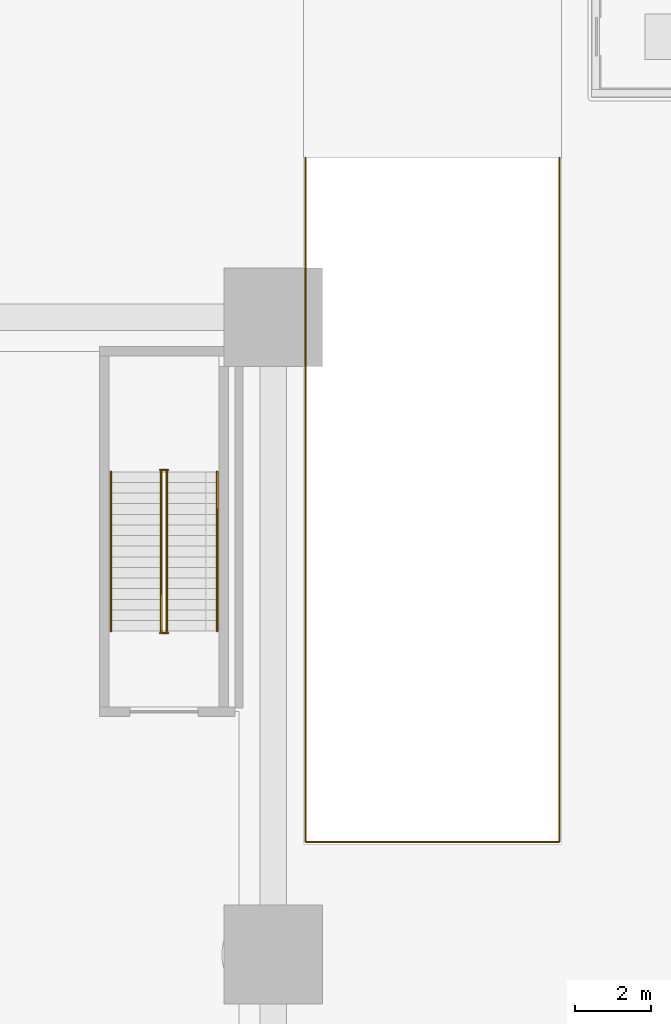
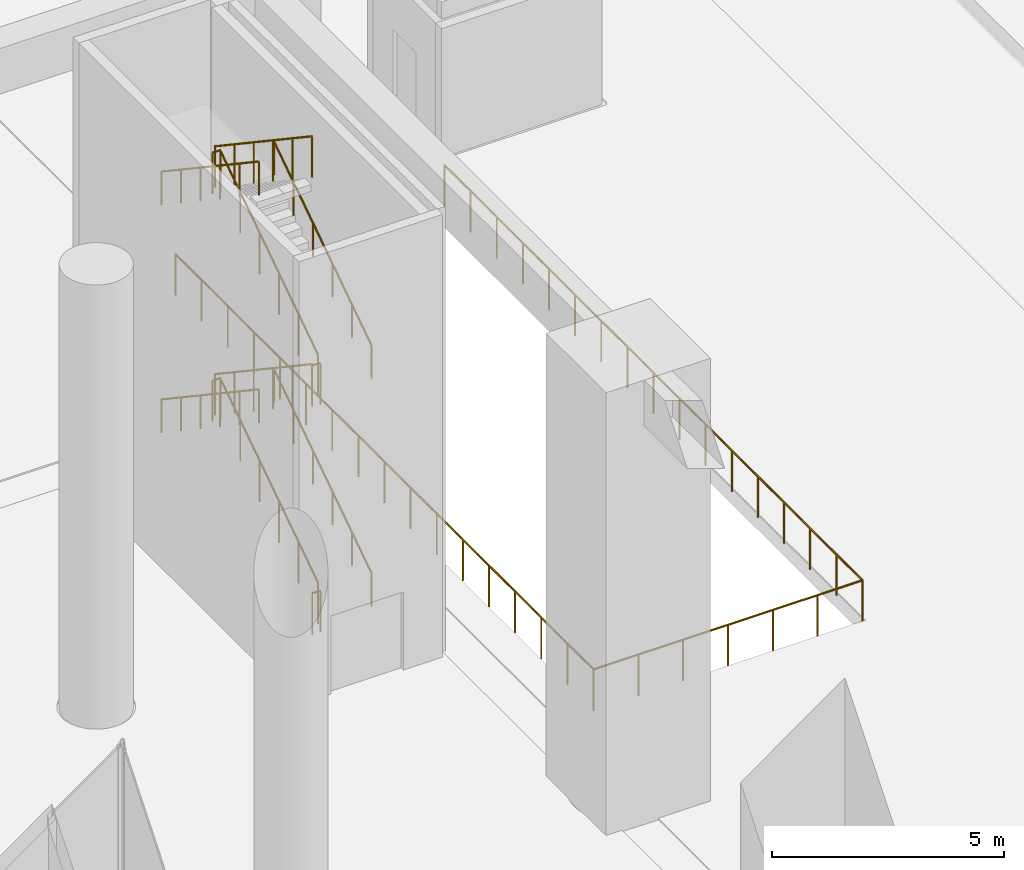
# One storey, part 46 of 52: 13 railings.
"""IFC4 building model written with IfcOpenShell, lengths in metres."""

import ifcopenshell
import ifcopenshell.guid

model = None  # the IFC model being written
_history = None  # IfcOwnerHistory: only IFC2X3 demands one
_inside = {}  # id of a spatial element -> (the spatial element, [elements in it])
_under = {}  # id of a project, library or spatial element -> (it, [spatial elements below it])
_declared = {}  # id of a project -> (the project, [libraries it declares])
_typed = {}  # id of a type object -> (the type object, [elements of that type])
_made_of = {}  # id of a material, layer set ... -> (it, [elements and type objects made of it])


def new_model(schema):
    """Start an empty IFC model of exactly this schema.

    Asked for "IFC4X3", IfcOpenShell would pick the latest addendum, in which some entities
    have other attributes; the version numbers below select the first issue.
    IFC2X3 requires an IfcOwnerHistory on every rooted entity: one is made here for all.
    """
    global model, _history
    if schema == "IFC4X3":
        model = ifcopenshell.file(schema_version=(4, 3, 0, 0))
    else:
        model = ifcopenshell.file(schema=schema)
    _inside.clear()
    _under.clear()
    _declared.clear()
    _typed.clear()
    _made_of.clear()
    _history = None
    if model.schema == "IFC2X3":
        org = make("IfcOrganization", Name="unknown")
        user = make(
            "IfcPersonAndOrganization",
            ThePerson=make("IfcPerson", FamilyName="unknown"),
            TheOrganization=org,
        )
        app = make(
            "IfcApplication",
            ApplicationDeveloper=org,
            Version="unknown",
            ApplicationFullName="unknown",
            ApplicationIdentifier="unknown",
        )
        _history = make(
            "IfcOwnerHistory",
            OwningUser=user,
            OwningApplication=app,
            ChangeAction="ADDED",
            CreationDate=0,
        )
    return model


def make(cls, **values):
    """One entity of the class cls with the attributes given. An attribute that is None is left unset."""
    return model.create_entity(
        cls, **{name: value for name, value in values.items() if value is not None}
    )


def rooted(cls, **values):
    """An entity with a GlobalId (a new one), such as an element, a storey or a relation."""
    return make(cls, GlobalId=ifcopenshell.guid.new(), OwnerHistory=_history, **values)


def si_unit(unit_type, name, prefix=None):
    """IfcSIUnit, for example si_unit("LENGTHUNIT", "METRE", prefix="MILLI")."""
    return make("IfcSIUnit", UnitType=unit_type, Prefix=prefix, Name=name)


def assignment(units):
    """IfcUnitAssignment: the units of a project."""
    return None if units is None else make("IfcUnitAssignment", Units=units)


def point(xyz):
    """IfcCartesianPoint."""
    return None if xyz is None else make("IfcCartesianPoint", Coordinates=xyz)


def direction(xyz):
    """IfcDirection."""
    return None if xyz is None else make("IfcDirection", DirectionRatios=xyz)


def frame(location, z_axis=None, x_axis=None):
    """IfcAxis2Placement3D, a coordinate frame: its origin and axes. An axis left out is left unset."""
    return make(
        "IfcAxis2Placement3D",
        Location=point(location),
        Axis=direction(z_axis),
        RefDirection=direction(x_axis),
    )


def frame_2d(location, x_axis=None):
    """IfcAxis2Placement2D, a coordinate frame in the plane: its origin and x axis."""
    return make(
        "IfcAxis2Placement2D", Location=point(location), RefDirection=direction(x_axis)
    )


def origin():
    """The frame at (0, 0, 0) with its axes left unset."""
    return frame((0.0, 0.0, 0.0))


def origin_2d():
    """The frame at (0, 0) in the plane with its x axis left unset."""
    return frame_2d((0.0, 0.0))


def place(relative_to, where):
    """IfcLocalPlacement: puts the frame where relative to a parent placement (None: the world)."""
    return make(
        "IfcLocalPlacement", PlacementRelTo=relative_to, RelativePlacement=where
    )


def context(
    kind, dimensions, precision=None, world=None, true_north=None, identifier=None
):
    """IfcGeometricRepresentationContext, for example the 3D "Model" context."""
    return make(
        "IfcGeometricRepresentationContext",
        ContextIdentifier=identifier,
        ContextType=kind,
        CoordinateSpaceDimension=dimensions,
        Precision=precision,
        WorldCoordinateSystem=world,
        TrueNorth=true_north,
    )


def subcontext(parent, identifier, kind, view, scale=None):
    """IfcGeometricRepresentationSubContext, for example "Body" below "Model"."""
    return make(
        "IfcGeometricRepresentationSubContext",
        ContextIdentifier=identifier,
        ContextType=kind,
        ParentContext=parent,
        TargetScale=scale,
        TargetView=view,
    )


def project(units=None, contexts=None):
    """IfcProject with its units and contexts."""
    return rooted(
        "IfcProject",
        Name="project",
        RepresentationContexts=contexts,
        UnitsInContext=assignment(units),
    )


def spatial(cls, under=None, at=None, **own):
    """A site, building, storey or space (cls), placed at a placement, below another one or the project."""
    s = rooted(cls, ObjectPlacement=at, **own)
    if under is not None:
        _under.setdefault(under.id(), (under, []))[1].append(s)
    return s


def profile(cls, at=None, kind="AREA", **sizes):
    """A parametric profile (cls). Its sizes go by their IFC names, for example OverallWidth=200.0."""
    return make(cls, ProfileType=kind, Position=at, **sizes)


def circle(**sizes):
    """IfcCircleProfileDef."""
    return profile("IfcCircleProfileDef", **sizes)


def extrude(swept, where, along, depth):
    """IfcExtrudedAreaSolid: the profile swept, set in the frame where, extruded along a direction by depth."""
    return make(
        "IfcExtrudedAreaSolid",
        SweptArea=swept,
        Position=where,
        ExtrudedDirection=direction(along),
        Depth=depth,
    )


def shape(context_of_items, identifier, shape_type, items):
    """IfcShapeRepresentation: the items that make up one representation, for example the "Body"."""
    return make(
        "IfcShapeRepresentation",
        ContextOfItems=context_of_items,
        RepresentationIdentifier=identifier,
        RepresentationType=shape_type,
        Items=items,
    )


def material(Name=None, Category=None):
    """IfcMaterial."""
    return make("IfcMaterial", Name=Name, Category=Category)


def made_of(thing, what):
    """Note that an element or type object is made of a material, layer set ...; save() writes the relation."""
    if what is not None:
        _made_of.setdefault(what.id(), (what, []))[1].append(thing)
    return thing


def type_object(cls, material=None, **own):
    """A type object (cls), such as IfcWallType, which elements share."""
    return made_of(rooted(cls, **own), material)


def element(
    cls,
    number,
    at=None,
    inside=None,
    cuts=None,
    type_object=None,
    material=None,
    context=None,
    identifier="Body",
    shape_type=None,
    held_by="IfcProductDefinitionShape",
    body=None,
    shapes=None,
    **own,
):
    """One element of the class cls, such as IfcWall. Its Tag is "e" and its number.

    at: its placement. inside: the storey or other place that contains it. cuts: it is an
    opening in that element (IfcRelVoidsElement). A single representation is given by context,
    identifier, shape_type and body (its items); several are given by shapes. held_by: the class
    of the entity that holds the representations. save() writes the other relations.
    """
    e = rooted(cls, Tag="e%d" % number, ObjectPlacement=at, **own)
    if body is not None:
        shapes = [shape(context, identifier, shape_type, body)]
    if shapes is not None:
        e.Representation = make(held_by, Representations=shapes)
    if inside is not None:
        _inside.setdefault(inside.id(), (inside, []))[1].append(e)
    if cuts is not None:
        rooted(
            "IfcRelVoidsElement", RelatingBuildingElement=cuts, RelatedOpeningElement=e
        )
    if type_object is not None:
        _typed.setdefault(type_object.id(), (type_object, []))[1].append(e)
    return made_of(e, material)


def aggregate(whole, parts):
    """IfcRelAggregates: a whole, such as a stair, and the parts it consists of."""
    return rooted("IfcRelAggregates", RelatingObject=whole, RelatedObjects=parts)


def save(model, path):
    """Write the relations noted so far, then the file.

    IfcRelAggregates (storeys below a building ...), IfcRelContainedInSpatialStructure (elements
    in a storey), IfcRelDefinesByType, IfcRelAssociatesMaterial and IfcRelDeclares: one each for
    every whole, place, type object, material and project.
    """
    for whole, parts in _under.values():
        aggregate(whole, parts)
    for where, things in _inside.values():
        rooted(
            "IfcRelContainedInSpatialStructure",
            RelatedElements=things,
            RelatingStructure=where,
        )
    for kind, things in _typed.values():
        rooted("IfcRelDefinesByType", RelatedObjects=things, RelatingType=kind)
    for what, things in _made_of.values():
        rooted("IfcRelAssociatesMaterial", RelatedObjects=things, RelatingMaterial=what)
    for by, libraries in _declared.values():
        rooted("IfcRelDeclares", RelatingContext=by, RelatedDefinitions=libraries)
    model.write(path)


model = new_model("IFC4")

# Units and contexts
model_context = context("Model", 3, precision=1e-05, world=origin(), true_north=direction((0.0, 1.0)))
body_context = subcontext(model_context, "Body", "Model", "MODEL_VIEW")
ifc_project = project(units=[si_unit("LENGTHUNIT", "METRE"), si_unit("AREAUNIT", "SQUARE_METRE"), si_unit("VOLUMEUNIT", "CUBIC_METRE"), si_unit("PLANEANGLEUNIT", "RADIAN"), si_unit("MASSUNIT", "GRAM", prefix="KILO")], contexts=[model_context])

# Site, building, storey
site_placement = place(None, origin())
site = spatial("IfcSite", under=ifc_project, at=site_placement, CompositionType="ELEMENT")
building_placement = place(site_placement, origin())
building = spatial("IfcBuilding", under=site, at=building_placement, Name="Cantera Rosa Tower", CompositionType="ELEMENT")
storey_placement = place(building_placement, origin())
storey = spatial("IfcBuildingStorey", under=building, at=storey_placement, Name="L00", CompositionType="ELEMENT", Elevation=0.0)

# Railings
ifc_material_1 = material(Name="Steel S355J2 (EN 10025-2)", Category="steel")
railing_type_1 = type_object("IfcRailingType", Name="Edge guard 1100", PredefinedType="GUARDRAIL", material=ifc_material_1)
railing_1_placement = place(storey_placement, frame((34.449951171875, 33.60009765625, 0.0)))
element("IfcRailing", 1, at=railing_1_placement, inside=storey, type_object=railing_type_1, Name="Guard round ramp opening L00", PredefinedType="GUARDRAIL", context=body_context, shape_type="SweptSolid", body=[
    extrude(circle(Radius=0.02392578125, at=origin_2d()), frame((0.0, 0.0, 1.076171875), z_axis=(0.0, -1.0, 0.0), x_axis=(1.0, 0.0, 0.0)), (0.0, 0.0, 1.0), 18.033447265625),
    extrude(circle(Radius=0.02392578125, at=origin_2d()), frame((0.0, -18.033447265625, 1.076171875), z_axis=(1.0, 0.0, 0.0), x_axis=(0.0, 1.0, 0.0)), (0.0, 0.0, 1.0), 6.699951171875),
    extrude(circle(Radius=0.02392578125, at=origin_2d()), frame((6.699951171875, -18.033447265625, 1.076171875), z_axis=(0.0, 1.0, 0.0), x_axis=(-1.0, 0.0, 0.0)), (0.0, 0.0, 1.0), 18.033447265625),
    extrude(circle(Radius=0.02099609375, at=origin_2d()), origin(), (0.0, 0.0, 1.0), 1.052001953125),
    extrude(circle(Radius=0.02099609375, at=origin_2d()), frame((0.0, -1.127197265625, 0.0)), (0.0, 0.0, 1.0), 1.052001953125),
    extrude(circle(Radius=0.02099609375, at=origin_2d()), frame((0.0, -2.254150390625, 0.0)), (0.0, 0.0, 1.0), 1.052001953125),
    extrude(circle(Radius=0.02099609375, at=origin_2d()), frame((0.0, -3.38134765625, 0.0)), (0.0, 0.0, 1.0), 1.052001953125),
    extrude(circle(Radius=0.02099609375, at=origin_2d()), frame((0.0, -4.50830078125, 0.0)), (0.0, 0.0, 1.0), 1.052001953125),
    extrude(circle(Radius=0.02099609375, at=origin_2d()), frame((0.0, -5.635498046875, 0.0)), (0.0, 0.0, 1.0), 1.052001953125),
    extrude(circle(Radius=0.02099609375, at=origin_2d()), frame((0.0, -6.762451171875, 0.0)), (0.0, 0.0, 1.0), 1.052001953125),
    extrude(circle(Radius=0.02099609375, at=origin_2d()), frame((0.0, -7.8896484375, 0.0)), (0.0, 0.0, 1.0), 1.052001953125),
    extrude(circle(Radius=0.02099609375, at=origin_2d()), frame((0.0, -9.0166015625, 0.0)), (0.0, 0.0, 1.0), 1.052001953125),
    extrude(circle(Radius=0.02099609375, at=origin_2d()), frame((0.0, -10.143798828125, 0.0)), (0.0, 0.0, 1.0), 1.052001953125),
    extrude(circle(Radius=0.02099609375, at=origin_2d()), frame((0.0, -11.27099609375, 0.0)), (0.0, 0.0, 1.0), 1.052001953125),
    extrude(circle(Radius=0.02099609375, at=origin_2d()), frame((0.0, -12.39794921875, 0.0)), (0.0, 0.0, 1.0), 1.052001953125),
    extrude(circle(Radius=0.02099609375, at=origin_2d()), frame((0.0, -13.525146484375, 0.0)), (0.0, 0.0, 1.0), 1.052001953125),
    extrude(circle(Radius=0.02099609375, at=origin_2d()), frame((0.0, -14.652099609375, 0.0)), (0.0, 0.0, 1.0), 1.052001953125),
    extrude(circle(Radius=0.02099609375, at=origin_2d()), frame((0.0, -15.779296875, 0.0)), (0.0, 0.0, 1.0), 1.052001953125),
    extrude(circle(Radius=0.02099609375, at=origin_2d()), frame((0.0, -16.90625, 0.0)), (0.0, 0.0, 1.0), 1.052001953125),
    extrude(circle(Radius=0.02099609375, at=origin_2d()), frame((0.0, -18.033447265625, 0.0)), (0.0, 0.0, 1.0), 1.052001953125),
    extrude(circle(Radius=0.02099609375, at=origin_2d()), frame((1.11669921875, -18.033447265625, 0.0)), (0.0, 0.0, 1.0), 1.052001953125),
    extrude(circle(Radius=0.02099609375, at=origin_2d()), frame((2.2333984375, -18.033447265625, 0.0)), (0.0, 0.0, 1.0), 1.052001953125),
    extrude(circle(Radius=0.02099609375, at=origin_2d()), frame((3.35009765625, -18.033447265625, 0.0)), (0.0, 0.0, 1.0), 1.052001953125),
    extrude(circle(Radius=0.02099609375, at=origin_2d()), frame((4.466552734375, -18.033447265625, 0.0)), (0.0, 0.0, 1.0), 1.052001953125),
    extrude(circle(Radius=0.02099609375, at=origin_2d()), frame((5.583251953125, -18.033447265625, 0.0)), (0.0, 0.0, 1.0), 1.052001953125),
    extrude(circle(Radius=0.02099609375, at=origin_2d()), frame((6.699951171875, -18.033447265625, 0.0)), (0.0, 0.0, 1.0), 1.052001953125),
    extrude(circle(Radius=0.02099609375, at=origin_2d()), frame((6.699951171875, -16.90625, 0.0)), (0.0, 0.0, 1.0), 1.052001953125),
    extrude(circle(Radius=0.02099609375, at=origin_2d()), frame((6.699951171875, -15.779296875, 0.0)), (0.0, 0.0, 1.0), 1.052001953125),
    extrude(circle(Radius=0.02099609375, at=origin_2d()), frame((6.699951171875, -14.652099609375, 0.0)), (0.0, 0.0, 1.0), 1.052001953125),
    extrude(circle(Radius=0.02099609375, at=origin_2d()), frame((6.699951171875, -13.525146484375, 0.0)), (0.0, 0.0, 1.0), 1.052001953125),
    extrude(circle(Radius=0.02099609375, at=origin_2d()), frame((6.699951171875, -12.39794921875, 0.0)), (0.0, 0.0, 1.0), 1.052001953125),
    extrude(circle(Radius=0.02099609375, at=origin_2d()), frame((6.699951171875, -11.27099609375, 0.0)), (0.0, 0.0, 1.0), 1.052001953125),
    extrude(circle(Radius=0.02099609375, at=origin_2d()), frame((6.699951171875, -10.143798828125, 0.0)), (0.0, 0.0, 1.0), 1.052001953125),
    extrude(circle(Radius=0.02099609375, at=origin_2d()), frame((6.699951171875, -9.0166015625, 0.0)), (0.0, 0.0, 1.0), 1.052001953125),
    extrude(circle(Radius=0.02099609375, at=origin_2d()), frame((6.699951171875, -7.8896484375, 0.0)), (0.0, 0.0, 1.0), 1.052001953125),
    extrude(circle(Radius=0.02099609375, at=origin_2d()), frame((6.699951171875, -6.762451171875, 0.0)), (0.0, 0.0, 1.0), 1.052001953125),
    extrude(circle(Radius=0.02099609375, at=origin_2d()), frame((6.699951171875, -5.635498046875, 0.0)), (0.0, 0.0, 1.0), 1.052001953125),
    extrude(circle(Radius=0.02099609375, at=origin_2d()), frame((6.699951171875, -4.50830078125, 0.0)), (0.0, 0.0, 1.0), 1.052001953125),
    extrude(circle(Radius=0.02099609375, at=origin_2d()), frame((6.699951171875, -3.38134765625, 0.0)), (0.0, 0.0, 1.0), 1.052001953125),
    extrude(circle(Radius=0.02099609375, at=origin_2d()), frame((6.699951171875, -2.254150390625, 0.0)), (0.0, 0.0, 1.0), 1.052001953125),
    extrude(circle(Radius=0.02099609375, at=origin_2d()), frame((6.699951171875, -1.127197265625, 0.0)), (0.0, 0.0, 1.0), 1.052001953125),
    extrude(circle(Radius=0.02099609375, at=origin_2d()), frame((6.699951171875, 0.0, 0.0)), (0.0, 0.0, 1.0), 1.052001953125),
])
ifc_material_2 = material(Name="Steel S355J2 (EN 10025-2)", Category="steel")
railing_type_2 = type_object("IfcRailingType", Name="STAIR GUARD 1100", PredefinedType="GUARDRAIL", material=ifc_material_2)
railing_2_placement = place(storey_placement, frame((30.799072265625, 21.125, 0.1875)))
element("IfcRailing", 2, at=railing_2_placement, inside=storey, type_object=railing_type_2, Name="L00 ST-NE stair guard 1", PredefinedType="GUARDRAIL", context=body_context, shape_type="SweptSolid", body=[
    extrude(circle(Radius=0.02392578125, at=origin_2d()), frame((0.0, 0.0, 1.076171875), z_axis=(0.0, 0.830904186295, 0.556415522067), x_axis=(-1.0, 0.0, 0.0)), (0.0, 0.0, 1.0), 5.0546875),
    extrude(circle(Radius=0.02099609375, at=origin_2d()), origin(), (0.0, 0.0, 1.0), 1.052001953125),
    extrude(circle(Radius=0.02099609375, at=origin_2d()), frame((0.0, 0.840087890625, 0.5625)), (0.0, 0.0, 1.0), 1.052001953125),
    extrude(circle(Radius=0.02099609375, at=origin_2d()), frame((0.0, 1.679931640625, 1.125)), (0.0, 0.0, 1.0), 1.052001953125),
    extrude(circle(Radius=0.02099609375, at=origin_2d()), frame((0.0, 2.52001953125, 1.6875)), (0.0, 0.0, 1.0), 1.052001953125),
    extrude(circle(Radius=0.02099609375, at=origin_2d()), frame((0.0, 3.35986328125, 2.25)), (0.0, 0.0, 1.0), 1.052001953125),
    extrude(circle(Radius=0.02099609375, at=origin_2d()), frame((0.0, 4.199951171875, 2.8125)), (0.0, 0.0, 1.0), 1.052001953125),
])
railing_3_placement = place(storey_placement, frame((30.824951171875, 25.375, 3.0)))
element("IfcRailing", 3, at=railing_3_placement, inside=storey, type_object=railing_type_2, Name="L00 ST-NE stair guard 2", PredefinedType="GUARDRAIL", context=body_context, shape_type="SweptSolid", body=[
    extrude(circle(Radius=0.02392578125, at=origin_2d()), frame((0.0, 0.0, 1.076171875), z_axis=(-1.0, 0.0, 0.0), x_axis=(0.0, -1.0, 0.0)), (0.0, 0.0, 1.0), 0.199951171875),
    extrude(circle(Radius=0.02099609375, at=origin_2d()), origin(), (0.0, 0.0, 1.0), 1.052001953125),
    extrude(circle(Radius=0.02099609375, at=origin_2d()), frame((-0.199951171875, 0.0, 0.0)), (0.0, 0.0, 1.0), 1.052001953125),
])
railing_4_placement = place(storey_placement, frame((30.65087890625, 25.324951171875, 3.1875)))
element("IfcRailing", 4, at=railing_4_placement, inside=storey, type_object=railing_type_2, Name="L00 ST-NE stair guard 3", PredefinedType="GUARDRAIL", context=body_context, shape_type="SweptSolid", body=[
    extrude(circle(Radius=0.02392578125, at=origin_2d()), frame((0.0, 0.0, 1.076171875), z_axis=(0.0, -0.830904186295, 0.556415522067), x_axis=(1.0, 0.0, 0.0)), (0.0, 0.0, 1.0), 5.0546875),
    extrude(circle(Radius=0.02099609375, at=origin_2d()), origin(), (0.0, 0.0, 1.0), 1.052001953125),
    extrude(circle(Radius=0.02099609375, at=origin_2d()), frame((0.0, -0.840087890625, 0.5625)), (0.0, 0.0, 1.0), 1.052001953125),
    extrude(circle(Radius=0.02099609375, at=origin_2d()), frame((0.0, -1.679931640625, 1.125)), (0.0, 0.0, 1.0), 1.052001953125),
    extrude(circle(Radius=0.02099609375, at=origin_2d()), frame((0.0, -2.52001953125, 1.6875)), (0.0, 0.0, 1.0), 1.052001953125),
    extrude(circle(Radius=0.02099609375, at=origin_2d()), frame((0.0, -3.35986328125, 2.25)), (0.0, 0.0, 1.0), 1.052001953125),
    extrude(circle(Radius=0.02099609375, at=origin_2d()), frame((0.0, -4.199951171875, 2.8125)), (0.0, 0.0, 1.0), 1.052001953125),
])
railing_5_placement = place(storey_placement, frame((30.824951171875, 21.074951171875, 6.0)))
element("IfcRailing", 5, at=railing_5_placement, inside=storey, type_object=railing_type_2, Name="L00 ST-NE stair guard 4", PredefinedType="GUARDRAIL", context=body_context, shape_type="SweptSolid", body=[
    extrude(circle(Radius=0.02392578125, at=origin_2d()), frame((0.0, 0.0, 1.076171875), z_axis=(-1.0, 0.0, 0.0), x_axis=(0.0, -1.0, 0.0)), (0.0, 0.0, 1.0), 0.199951171875),
    extrude(circle(Radius=0.02099609375, at=origin_2d()), origin(), (0.0, 0.0, 1.0), 1.052001953125),
    extrude(circle(Radius=0.02099609375, at=origin_2d()), frame((-0.199951171875, 0.0, 0.0)), (0.0, 0.0, 1.0), 1.052001953125),
])
railing_6_placement = place(storey_placement, frame((30.799072265625, 21.125, 6.1875)))
element("IfcRailing", 6, at=railing_6_placement, inside=storey, type_object=railing_type_2, Name="L00 ST-NE stair guard 5", PredefinedType="GUARDRAIL", context=body_context, shape_type="SweptSolid", body=[
    extrude(circle(Radius=0.02392578125, at=origin_2d()), frame((0.0, 0.0, 1.076171875), z_axis=(0.0, 0.830904186295, 0.556415522067), x_axis=(-1.0, 0.0, 0.0)), (0.0, 0.0, 1.0), 5.0546875),
    extrude(circle(Radius=0.02099609375, at=origin_2d()), origin(), (0.0, 0.0, 1.0), 1.052001953125),
    extrude(circle(Radius=0.02099609375, at=origin_2d()), frame((0.0, 0.840087890625, 0.5625)), (0.0, 0.0, 1.0), 1.052001953125),
    extrude(circle(Radius=0.02099609375, at=origin_2d()), frame((0.0, 1.679931640625, 1.125)), (0.0, 0.0, 1.0), 1.052001953125),
    extrude(circle(Radius=0.02099609375, at=origin_2d()), frame((0.0, 2.52001953125, 1.6875)), (0.0, 0.0, 1.0), 1.052001953125),
    extrude(circle(Radius=0.02099609375, at=origin_2d()), frame((0.0, 3.35986328125, 2.25)), (0.0, 0.0, 1.0), 1.052001953125),
    extrude(circle(Radius=0.02099609375, at=origin_2d()), frame((0.0, 4.199951171875, 2.8125)), (0.0, 0.0, 1.0), 1.052001953125),
])
railing_7_placement = place(storey_placement, frame((30.824951171875, 25.375, 9.0)))
element("IfcRailing", 7, at=railing_7_placement, inside=storey, type_object=railing_type_2, Name="L00 ST-NE stair guard 6", PredefinedType="GUARDRAIL", context=body_context, shape_type="SweptSolid", body=[
    extrude(circle(Radius=0.02392578125, at=origin_2d()), frame((0.0, 0.0, 1.076171875), z_axis=(-1.0, 0.0, 0.0), x_axis=(0.0, -1.0, 0.0)), (0.0, 0.0, 1.0), 0.199951171875),
    extrude(circle(Radius=0.02099609375, at=origin_2d()), origin(), (0.0, 0.0, 1.0), 1.052001953125),
    extrude(circle(Radius=0.02099609375, at=origin_2d()), frame((-0.199951171875, 0.0, 0.0)), (0.0, 0.0, 1.0), 1.052001953125),
])
railing_8_placement = place(storey_placement, frame((30.65087890625, 25.324951171875, 9.1875)))
element("IfcRailing", 8, at=railing_8_placement, inside=storey, type_object=railing_type_2, Name="L00 ST-NE stair guard 7", PredefinedType="GUARDRAIL", context=body_context, shape_type="SweptSolid", body=[
    extrude(circle(Radius=0.02392578125, at=origin_2d()), frame((0.0, 0.0, 1.076171875), z_axis=(0.0, -0.830904186295, 0.556415522067), x_axis=(1.0, 0.0, 0.0)), (0.0, 0.0, 1.0), 5.0546875),
    extrude(circle(Radius=0.02099609375, at=origin_2d()), origin(), (0.0, 0.0, 1.0), 1.052001953125),
    extrude(circle(Radius=0.02099609375, at=origin_2d()), frame((0.0, -0.840087890625, 0.5625)), (0.0, 0.0, 1.0), 1.052001953125),
    extrude(circle(Radius=0.02099609375, at=origin_2d()), frame((0.0, -1.679931640625, 1.125)), (0.0, 0.0, 1.0), 1.052001953125),
    extrude(circle(Radius=0.02099609375, at=origin_2d()), frame((0.0, -2.52001953125, 1.6875)), (0.0, 0.0, 1.0), 1.052001953125),
    extrude(circle(Radius=0.02099609375, at=origin_2d()), frame((0.0, -3.35986328125, 2.25)), (0.0, 0.0, 1.0), 1.052001953125),
    extrude(circle(Radius=0.02099609375, at=origin_2d()), frame((0.0, -4.199951171875, 2.8125)), (0.0, 0.0, 1.0), 1.052001953125),
])
railing_9_placement = place(storey_placement, frame((30.824951171875, 21.074951171875, 0.0)))
element("IfcRailing", 9, at=railing_9_placement, inside=storey, type_object=railing_type_2, Name="L00 ST-NE stair guard 8", PredefinedType="GUARDRAIL", context=body_context, shape_type="SweptSolid", body=[
    extrude(circle(Radius=0.02392578125, at=origin_2d()), frame((0.0, 0.0, 1.076171875), z_axis=(-1.0, 0.0, 0.0), x_axis=(0.0, -1.0, 0.0)), (0.0, 0.0, 1.0), 0.199951171875),
    extrude(circle(Radius=0.02099609375, at=origin_2d()), origin(), (0.0, 0.0, 1.0), 1.052001953125),
    extrude(circle(Radius=0.02099609375, at=origin_2d()), frame((-0.199951171875, 0.0, 0.0)), (0.0, 0.0, 1.0), 1.052001953125),
])
ifc_material_3 = material(Name="Steel S355J2 (EN 10025-2)", Category="steel")
railing_type_3 = type_object("IfcRailingType", Name="STAIR HANDRAIL 900", PredefinedType="HANDRAIL", material=ifc_material_3)
railing_10_placement = place(storey_placement, frame((32.125, 21.125, 0.1875)))
element("IfcRailing", 10, at=railing_10_placement, inside=storey, type_object=railing_type_3, Name="L00 ST-NE stair handrail 1", PredefinedType="HANDRAIL", context=body_context, shape_type="SweptSolid", body=[
    extrude(circle(Radius=0.02392578125, at=origin_2d()), frame((0.0, 0.0, 0.8759765625), z_axis=(0.0, 0.830904186295, 0.556415522067), x_axis=(-1.0, 0.0, 0.0)), (0.0, 0.0, 1.0), 5.0546875),
    extrude(circle(Radius=0.02099609375, at=origin_2d()), origin(), (0.0, 0.0, 1.0), 0.851806640625),
    extrude(circle(Radius=0.02099609375, at=origin_2d()), frame((0.0, 0.840087890625, 0.5625)), (0.0, 0.0, 1.0), 0.851806640625),
    extrude(circle(Radius=0.02099609375, at=origin_2d()), frame((0.0, 1.679931640625, 1.125)), (0.0, 0.0, 1.0), 0.851806640625),
    extrude(circle(Radius=0.02099609375, at=origin_2d()), frame((0.0, 2.52001953125, 1.6875)), (0.0, 0.0, 1.0), 0.851806640625),
    extrude(circle(Radius=0.02099609375, at=origin_2d()), frame((0.0, 3.35986328125, 2.25)), (0.0, 0.0, 1.0), 0.851806640625),
    extrude(circle(Radius=0.02099609375, at=origin_2d()), frame((0.0, 4.199951171875, 2.8125)), (0.0, 0.0, 1.0), 0.851806640625),
])
railing_11_placement = place(storey_placement, frame((29.324951171875, 25.324951171875, 3.1875)))
element("IfcRailing", 11, at=railing_11_placement, inside=storey, type_object=railing_type_3, Name="L00 ST-NE stair handrail 2", PredefinedType="HANDRAIL", context=body_context, shape_type="SweptSolid", body=[
    extrude(circle(Radius=0.02392578125, at=origin_2d()), frame((0.0, 0.0, 0.8759765625), z_axis=(0.0, -0.830904186295, 0.556415522067), x_axis=(1.0, 0.0, 0.0)), (0.0, 0.0, 1.0), 5.0546875),
    extrude(circle(Radius=0.02099609375, at=origin_2d()), origin(), (0.0, 0.0, 1.0), 0.851806640625),
    extrude(circle(Radius=0.02099609375, at=origin_2d()), frame((0.0, -0.840087890625, 0.5625)), (0.0, 0.0, 1.0), 0.851806640625),
    extrude(circle(Radius=0.02099609375, at=origin_2d()), frame((0.0, -1.679931640625, 1.125)), (0.0, 0.0, 1.0), 0.851806640625),
    extrude(circle(Radius=0.02099609375, at=origin_2d()), frame((0.0, -2.52001953125, 1.6875)), (0.0, 0.0, 1.0), 0.851806640625),
    extrude(circle(Radius=0.02099609375, at=origin_2d()), frame((0.0, -3.35986328125, 2.25)), (0.0, 0.0, 1.0), 0.851806640625),
    extrude(circle(Radius=0.02099609375, at=origin_2d()), frame((0.0, -4.199951171875, 2.8125)), (0.0, 0.0, 1.0), 0.851806640625),
])
railing_12_placement = place(storey_placement, frame((32.125, 21.125, 6.1875)))
element("IfcRailing", 12, at=railing_12_placement, inside=storey, type_object=railing_type_3, Name="L00 ST-NE stair handrail 3", PredefinedType="HANDRAIL", context=body_context, shape_type="SweptSolid", body=[
    extrude(circle(Radius=0.02392578125, at=origin_2d()), frame((0.0, 0.0, 0.8759765625), z_axis=(0.0, 0.830904186295, 0.556415522067), x_axis=(-1.0, 0.0, 0.0)), (0.0, 0.0, 1.0), 5.0546875),
    extrude(circle(Radius=0.02099609375, at=origin_2d()), origin(), (0.0, 0.0, 1.0), 0.851806640625),
    extrude(circle(Radius=0.02099609375, at=origin_2d()), frame((0.0, 0.840087890625, 0.5625)), (0.0, 0.0, 1.0), 0.851806640625),
    extrude(circle(Radius=0.02099609375, at=origin_2d()), frame((0.0, 1.679931640625, 1.125)), (0.0, 0.0, 1.0), 0.851806640625),
    extrude(circle(Radius=0.02099609375, at=origin_2d()), frame((0.0, 2.52001953125, 1.6875)), (0.0, 0.0, 1.0), 0.851806640625),
    extrude(circle(Radius=0.02099609375, at=origin_2d()), frame((0.0, 3.35986328125, 2.25)), (0.0, 0.0, 1.0), 0.851806640625),
    extrude(circle(Radius=0.02099609375, at=origin_2d()), frame((0.0, 4.199951171875, 2.8125)), (0.0, 0.0, 1.0), 0.851806640625),
])
railing_13_placement = place(storey_placement, frame((29.324951171875, 25.324951171875, 9.1875)))
element("IfcRailing", 13, at=railing_13_placement, inside=storey, type_object=railing_type_3, Name="L00 ST-NE stair handrail 4", PredefinedType="HANDRAIL", context=body_context, shape_type="SweptSolid", body=[
    extrude(circle(Radius=0.02392578125, at=origin_2d()), frame((0.0, 0.0, 0.8759765625), z_axis=(0.0, -0.830904186295, 0.556415522067), x_axis=(1.0, 0.0, 0.0)), (0.0, 0.0, 1.0), 5.0546875),
    extrude(circle(Radius=0.02099609375, at=origin_2d()), origin(), (0.0, 0.0, 1.0), 0.851806640625),
    extrude(circle(Radius=0.02099609375, at=origin_2d()), frame((0.0, -0.840087890625, 0.5625)), (0.0, 0.0, 1.0), 0.851806640625),
    extrude(circle(Radius=0.02099609375, at=origin_2d()), frame((0.0, -1.679931640625, 1.125)), (0.0, 0.0, 1.0), 0.851806640625),
    extrude(circle(Radius=0.02099609375, at=origin_2d()), frame((0.0, -2.52001953125, 1.6875)), (0.0, 0.0, 1.0), 0.851806640625),
    extrude(circle(Radius=0.02099609375, at=origin_2d()), frame((0.0, -3.35986328125, 2.25)), (0.0, 0.0, 1.0), 0.851806640625),
    extrude(circle(Radius=0.02099609375, at=origin_2d()), frame((0.0, -4.199951171875, 2.8125)), (0.0, 0.0, 1.0), 0.851806640625),
])

save(model, "model.ifc")
